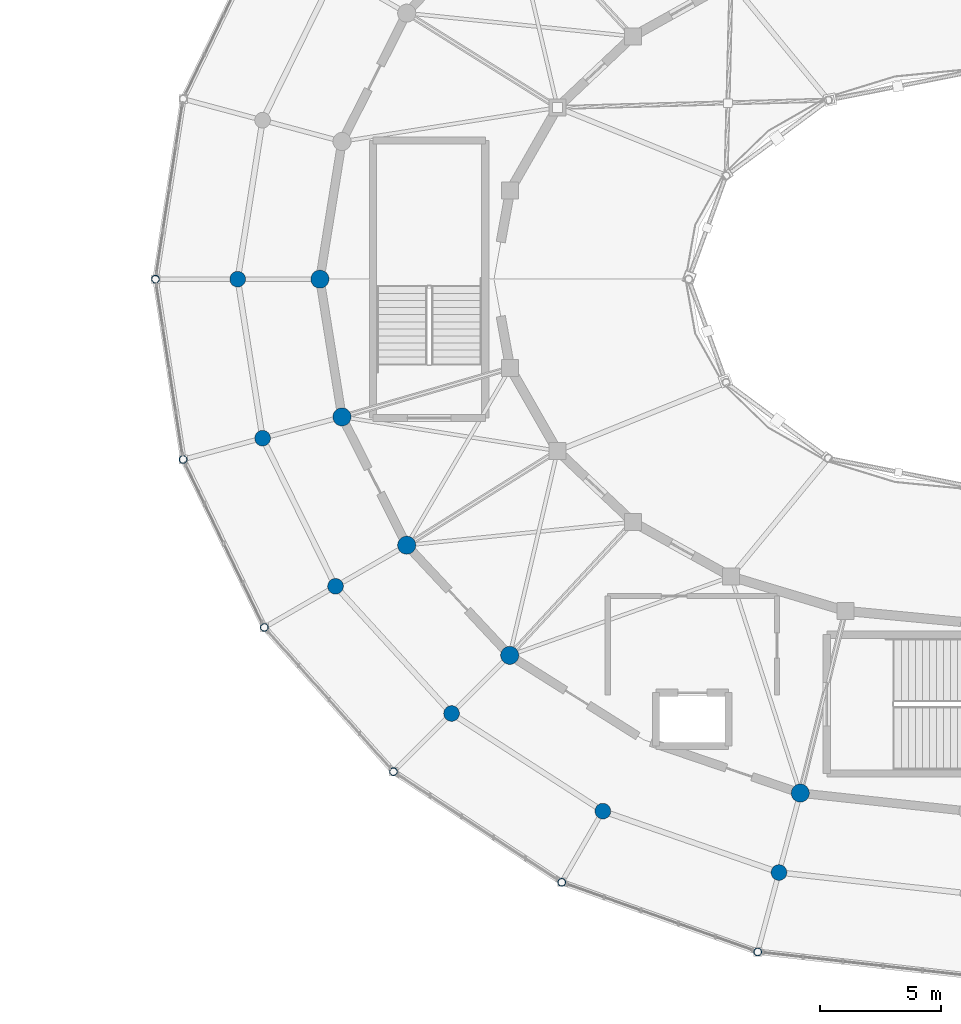
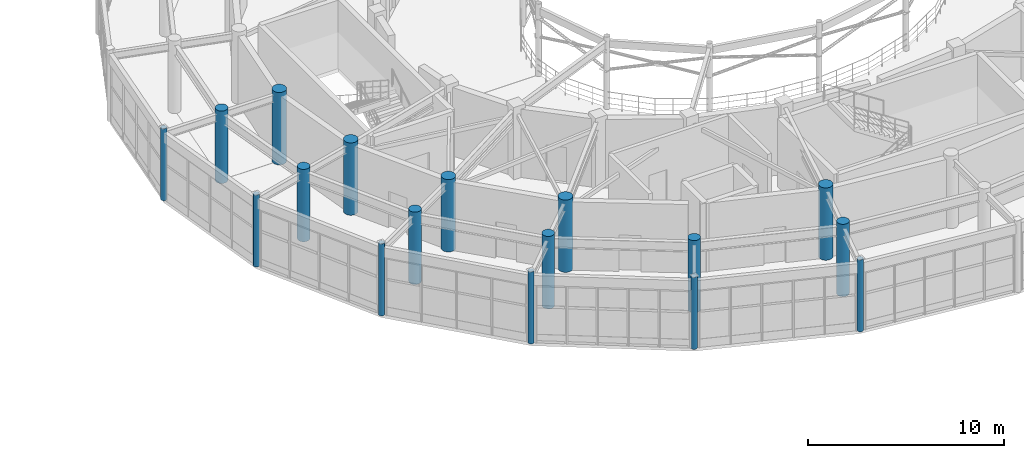
# One storey, part 3 of 60: 17 columns.
"""IFC4 building model written with IfcOpenShell, lengths in metres."""

from ifc_helpers import new_model, si_unit, direction, frame, origin, origin_2d, place, context, subcontext, project, spatial, circle, hollow_circle, extrude, material, material_profile, profile_set, type_object, element, save


model = new_model("IFC4")

# Units and contexts
model_context = context("Model", 3, precision=1e-05, world=origin(), true_north=direction((0.0, 1.0)))
body_context = subcontext(model_context, "Body", "Model", "MODEL_VIEW")
ifc_project = project(units=[si_unit("LENGTHUNIT", "METRE"), si_unit("AREAUNIT", "SQUARE_METRE"), si_unit("VOLUMEUNIT", "CUBIC_METRE"), si_unit("PLANEANGLEUNIT", "RADIAN"), si_unit("MASSUNIT", "GRAM", prefix="KILO")], contexts=[model_context])

# Site, building, storey
site_placement = place(None, origin())
site = spatial("IfcSite", under=ifc_project, at=site_placement, CompositionType="ELEMENT")
building_placement = place(site_placement, origin())
building = spatial("IfcBuilding", under=site, at=building_placement, Name="Cinderbank Siding Concert Hall", CompositionType="ELEMENT")
storey_placement = place(building_placement, frame((0.0, 0.0, 14.699951171875)))
storey = spatial("IfcBuildingStorey", under=building, at=storey_placement, Name="L04", CompositionType="ELEMENT", Elevation=14.699951171875)

# Columns
ifc_material_1 = material(Name="Structural steel hollow section AS/NZS 1163 Grade C350L0 (350 MPa)", Category="steel")
ifc_material_profile_1 = material_profile(ifc_material_1, hollow_circle(Radius=0.161865234375, WallThickness=0.0126953125, at=origin_2d()), Name="323.9x12.7CHS", Category="LoadBearing")
ifc_profile_set_1 = profile_set([ifc_material_profile_1], Name="Structural steel hollow section AS/NZS 1163 Grade C350L0 (350 MPa)")
column_type_1 = type_object("IfcColumnType", Name="C-CHS323 323.9x12.7CHS", PredefinedType="COLUMN", material=ifc_profile_set_1)
for number, where, z_axis, x_axis, name in (
    (1, (88.39990234375, 44.0, 0.0), (0.0, 0.0, 1.0), (1.0, 0.0, 0.0), "L04 Column COL-E4-13"),
    (2, (89.544921875, 36.5458984375, 0.0), (0.0, 0.0, 1.0), (1.0, 0.0, 0.0), "L04 Column COL-E4-14"),
    (3, (92.90087890625, 29.60009765625, 0.0), (0.0, 0.0, 1.0), (1.0, 0.0, 0.0), "L04 Column COL-E4-15"),
    (4, (98.240966796875, 23.635009765625, 0.0), (0.0, 0.0, 1.0), (1.0, 0.0, 0.0), "L04 Column COL-E4-16"),
    (5, (105.199951171875, 19.05810546875, 0.0), (0.0, 0.0, 1.0), (1.0, 0.0, 0.0), "L04 Column COL-E4-17"),
    (6, (113.303955078125, 16.180908203125, 0.0), (0.0, 0.0, 1.0), (1.0, 0.0, 0.0), "L04 Column COL-E4-18"),
):
    element("IfcColumn", number, at=place(storey_placement, frame(where, z_axis=z_axis, x_axis=x_axis)), inside=storey, type_object=column_type_1, Name=name, PredefinedType="COLUMN", context=body_context, shape_type="SweptSolid", body=[
        extrude(hollow_circle(Radius=0.161865234375, WallThickness=0.0126953125, at=origin_2d()), origin(), (0.0, 0.0, 1.0), 4.47998046875),
    ])
ifc_material_2 = material(Name="Reinforced concrete AS 3600 N50 (50 MPa)", Category="concrete")
ifc_material_profile_2 = material_profile(ifc_material_2, circle(Radius=0.324951171875, at=origin_2d()), Name="RC-COL-650DIA", Category="LoadBearing")
ifc_profile_set_2 = profile_set([ifc_material_profile_2], Name="Reinforced concrete AS 3600 N50 (50 MPa)")
column_type_2 = type_object("IfcColumnType", Name="C-RCD650 RC-COL-650DIA", PredefinedType="COLUMN", material=ifc_profile_set_2)
for number, where, z_axis, x_axis, name in (
    (7, (91.800048828125, 44.0, 0.0), (0.0, 0.0, 1.0), (1.0, 0.0, 0.0), "L04 Column COL-E3-13"),
    (8, (92.8291015625, 37.426025390625, 0.0), (0.0, 0.0, 1.0), (1.0, 0.0, 0.0), "L04 Column COL-E3-14"),
    (9, (95.845947265625, 31.300048828125, 0.0), (0.0, 0.0, 1.0), (1.0, 0.0, 0.0), "L04 Column COL-E3-15"),
    (10, (100.64501953125, 26.0400390625, 0.0), (0.0, 0.0, 1.0), (1.0, 0.0, 0.0), "L04 Column COL-E3-16"),
    (11, (106.89990234375, 22.0029296875, 0.0), (0.0, 0.0, 1.0), (1.0, 0.0, 0.0), "L04 Column COL-E3-17"),
    (12, (114.18408203125, 19.465087890625, 0.0), (0.0, 0.0, 1.0), (1.0, 0.0, 0.0), "L04 Column COL-E3-18"),
):
    element("IfcColumn", number, at=place(storey_placement, frame(where, z_axis=z_axis, x_axis=x_axis)), inside=storey, type_object=column_type_2, Name=name, PredefinedType="COLUMN", context=body_context, shape_type="SweptSolid", body=[
        extrude(circle(Radius=0.324951171875, at=origin_2d()), origin(), (0.0, 0.0, 1.0), 4.5),
    ])
ifc_material_profile_3 = material_profile(ifc_material_2, circle(Radius=0.375, at=origin_2d()), Name="RC-COL-750DIA", Category="LoadBearing")
ifc_profile_set_3 = profile_set([ifc_material_profile_3], Name="Reinforced concrete AS 3600 N50 (50 MPa)")
column_type_3 = type_object("IfcColumnType", Name="C-RCD750 RC-COL-750DIA", PredefinedType="COLUMN", material=ifc_profile_set_3)
for number, where, z_axis, x_axis, name in (
    (13, (95.199951171875, 44.0, 0.0), (0.0, 0.0, 1.0), (1.0, 0.0, 0.0), "L04 Column COL-E2-13"),
    (14, (96.113037109375, 38.305908203125, 0.0), (0.0, 0.0, 1.0), (1.0, 0.0, 0.0), "L04 Column COL-E2-14"),
    (15, (98.7900390625, 33.0, 0.0), (0.0, 0.0, 1.0), (1.0, 0.0, 0.0), "L04 Column COL-E2-15"),
    (16, (103.049072265625, 28.444091796875, 0.0), (0.0, 0.0, 1.0), (1.0, 0.0, 0.0), "L04 Column COL-E2-16"),
    (17, (115.06396484375, 22.75, 0.0), (0.0, 0.0, 1.0), (1.0, 0.0, 0.0), "L04 Column COL-E2-18"),
):
    element("IfcColumn", number, at=place(storey_placement, frame(where, z_axis=z_axis, x_axis=x_axis)), inside=storey, type_object=column_type_3, Name=name, PredefinedType="COLUMN", context=body_context, shape_type="SweptSolid", body=[
        extrude(circle(Radius=0.375, at=origin_2d()), origin(), (0.0, 0.0, 1.0), 4.5),
    ])

save(model, "model.ifc")
